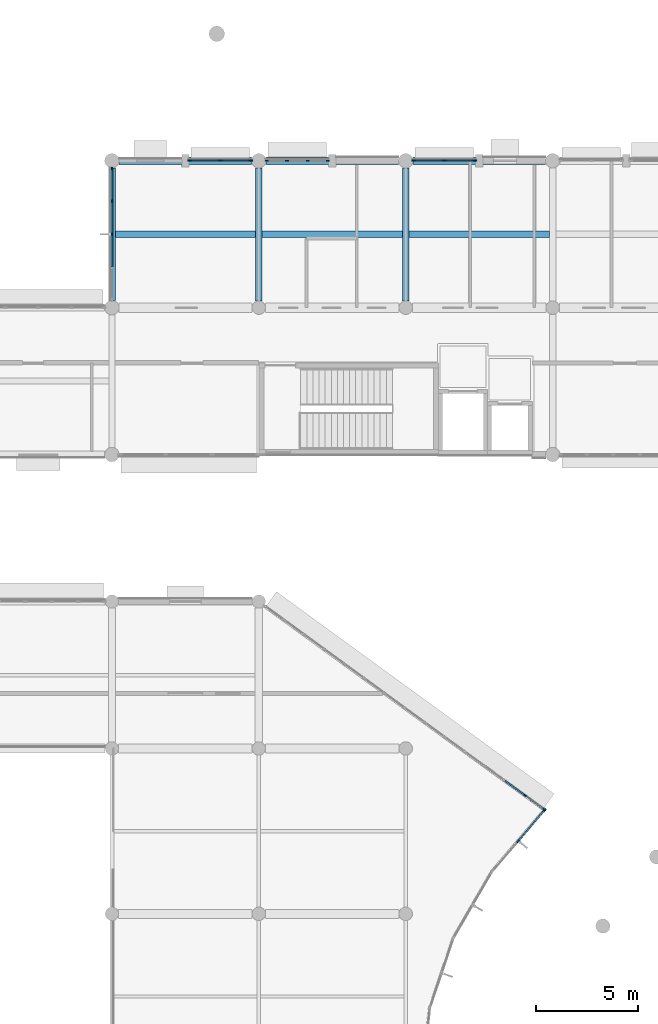
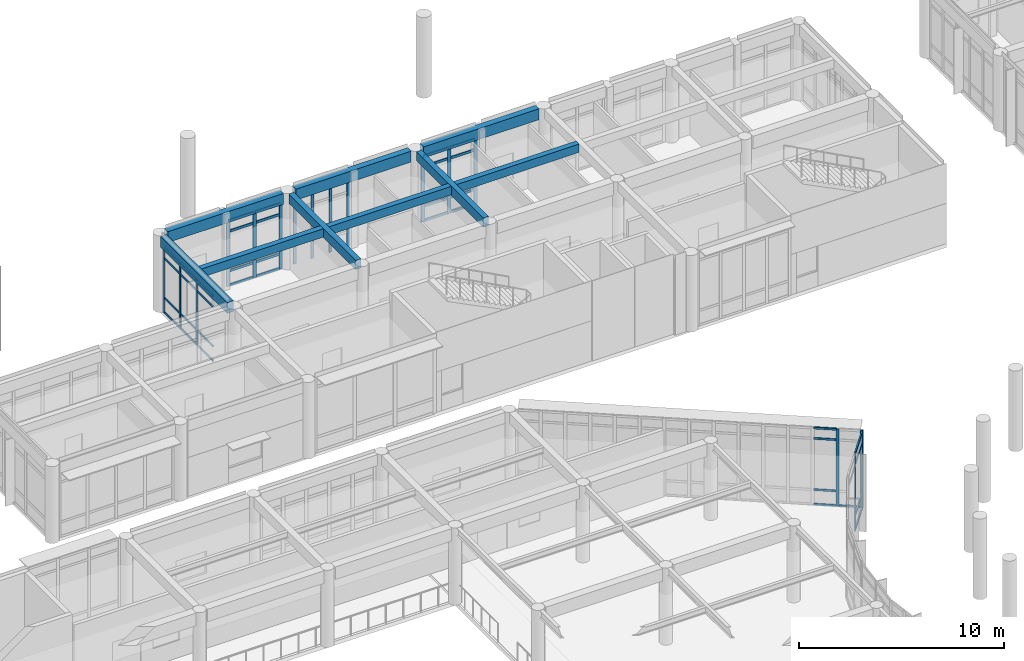
# One storey, part 22 of 92: 54 members, 9 beams, 6 elements without a shape of their own.
"""IFC4 building model written with IfcOpenShell, lengths in metres."""

import ifcopenshell
import ifcopenshell.guid

model = None  # the IFC model being written
_history = None  # IfcOwnerHistory: only IFC2X3 demands one
_inside = {}  # id of a spatial element -> (the spatial element, [elements in it])
_under = {}  # id of a project, library or spatial element -> (it, [spatial elements below it])
_declared = {}  # id of a project -> (the project, [libraries it declares])
_typed = {}  # id of a type object -> (the type object, [elements of that type])
_made_of = {}  # id of a material, layer set ... -> (it, [elements and type objects made of it])


def new_model(schema):
    """Start an empty IFC model of exactly this schema.

    Asked for "IFC4X3", IfcOpenShell would pick the latest addendum, in which some entities
    have other attributes; the version numbers below select the first issue.
    IFC2X3 requires an IfcOwnerHistory on every rooted entity: one is made here for all.
    """
    global model, _history
    if schema == "IFC4X3":
        model = ifcopenshell.file(schema_version=(4, 3, 0, 0))
    else:
        model = ifcopenshell.file(schema=schema)
    _inside.clear()
    _under.clear()
    _declared.clear()
    _typed.clear()
    _made_of.clear()
    _history = None
    if model.schema == "IFC2X3":
        org = make("IfcOrganization", Name="unknown")
        user = make(
            "IfcPersonAndOrganization",
            ThePerson=make("IfcPerson", FamilyName="unknown"),
            TheOrganization=org,
        )
        app = make(
            "IfcApplication",
            ApplicationDeveloper=org,
            Version="unknown",
            ApplicationFullName="unknown",
            ApplicationIdentifier="unknown",
        )
        _history = make(
            "IfcOwnerHistory",
            OwningUser=user,
            OwningApplication=app,
            ChangeAction="ADDED",
            CreationDate=0,
        )
    return model


def make(cls, **values):
    """One entity of the class cls with the attributes given. An attribute that is None is left unset."""
    return model.create_entity(
        cls, **{name: value for name, value in values.items() if value is not None}
    )


def rooted(cls, **values):
    """An entity with a GlobalId (a new one), such as an element, a storey or a relation."""
    return make(cls, GlobalId=ifcopenshell.guid.new(), OwnerHistory=_history, **values)


def si_unit(unit_type, name, prefix=None):
    """IfcSIUnit, for example si_unit("LENGTHUNIT", "METRE", prefix="MILLI")."""
    return make("IfcSIUnit", UnitType=unit_type, Prefix=prefix, Name=name)


def assignment(units):
    """IfcUnitAssignment: the units of a project."""
    return None if units is None else make("IfcUnitAssignment", Units=units)


def point(xyz):
    """IfcCartesianPoint."""
    return None if xyz is None else make("IfcCartesianPoint", Coordinates=xyz)


def direction(xyz):
    """IfcDirection."""
    return None if xyz is None else make("IfcDirection", DirectionRatios=xyz)


def frame(location, z_axis=None, x_axis=None):
    """IfcAxis2Placement3D, a coordinate frame: its origin and axes. An axis left out is left unset."""
    return make(
        "IfcAxis2Placement3D",
        Location=point(location),
        Axis=direction(z_axis),
        RefDirection=direction(x_axis),
    )


def frame_2d(location, x_axis=None):
    """IfcAxis2Placement2D, a coordinate frame in the plane: its origin and x axis."""
    return make(
        "IfcAxis2Placement2D", Location=point(location), RefDirection=direction(x_axis)
    )


def origin():
    """The frame at (0, 0, 0) with its axes left unset."""
    return frame((0.0, 0.0, 0.0))


def origin_2d():
    """The frame at (0, 0) in the plane with its x axis left unset."""
    return frame_2d((0.0, 0.0))


def place(relative_to, where):
    """IfcLocalPlacement: puts the frame where relative to a parent placement (None: the world)."""
    return make(
        "IfcLocalPlacement", PlacementRelTo=relative_to, RelativePlacement=where
    )


def context(
    kind, dimensions, precision=None, world=None, true_north=None, identifier=None
):
    """IfcGeometricRepresentationContext, for example the 3D "Model" context."""
    return make(
        "IfcGeometricRepresentationContext",
        ContextIdentifier=identifier,
        ContextType=kind,
        CoordinateSpaceDimension=dimensions,
        Precision=precision,
        WorldCoordinateSystem=world,
        TrueNorth=true_north,
    )


def subcontext(parent, identifier, kind, view, scale=None):
    """IfcGeometricRepresentationSubContext, for example "Body" below "Model"."""
    return make(
        "IfcGeometricRepresentationSubContext",
        ContextIdentifier=identifier,
        ContextType=kind,
        ParentContext=parent,
        TargetScale=scale,
        TargetView=view,
    )


def project(units=None, contexts=None):
    """IfcProject with its units and contexts."""
    return rooted(
        "IfcProject",
        Name="project",
        RepresentationContexts=contexts,
        UnitsInContext=assignment(units),
    )


def spatial(cls, under=None, at=None, **own):
    """A site, building, storey or space (cls), placed at a placement, below another one or the project."""
    s = rooted(cls, ObjectPlacement=at, **own)
    if under is not None:
        _under.setdefault(under.id(), (under, []))[1].append(s)
    return s


def profile(cls, at=None, kind="AREA", **sizes):
    """A parametric profile (cls). Its sizes go by their IFC names, for example OverallWidth=200.0."""
    return make(cls, ProfileType=kind, Position=at, **sizes)


def rectangle(**sizes):
    """IfcRectangleProfileDef."""
    return profile("IfcRectangleProfileDef", **sizes)


def extrude(swept, where, along, depth):
    """IfcExtrudedAreaSolid: the profile swept, set in the frame where, extruded along a direction by depth."""
    return make(
        "IfcExtrudedAreaSolid",
        SweptArea=swept,
        Position=where,
        ExtrudedDirection=direction(along),
        Depth=depth,
    )


def shape(context_of_items, identifier, shape_type, items):
    """IfcShapeRepresentation: the items that make up one representation, for example the "Body"."""
    return make(
        "IfcShapeRepresentation",
        ContextOfItems=context_of_items,
        RepresentationIdentifier=identifier,
        RepresentationType=shape_type,
        Items=items,
    )


def material(Name=None, Category=None):
    """IfcMaterial."""
    return make("IfcMaterial", Name=Name, Category=Category)


def layer(
    of_material, thickness, ventilated=None, Name=None, Category=None, Priority=None
):
    """IfcMaterialLayer: one layer of a wall or slab, of a material (None: an air gap)."""
    return make(
        "IfcMaterialLayer",
        Material=of_material,
        LayerThickness=thickness,
        IsVentilated=ventilated,
        Name=Name,
        Category=Category,
        Priority=Priority,
    )


def layer_set(layers, Name=None):
    """IfcMaterialLayerSet."""
    return make("IfcMaterialLayerSet", MaterialLayers=layers, LayerSetName=Name)


def material_profile(
    of_material, cross_section, Name=None, Category=None, Priority=None
):
    """IfcMaterialProfile: a cross section and its material."""
    return make(
        "IfcMaterialProfile",
        Name=Name,
        Material=of_material,
        Profile=cross_section,
        Priority=Priority,
        Category=Category,
    )


def profile_set(profiles, Name=None, composite=None):
    """IfcMaterialProfileSet."""
    return make(
        "IfcMaterialProfileSet",
        Name=Name,
        MaterialProfiles=profiles,
        CompositeProfile=composite,
    )


def made_of(thing, what):
    """Note that an element or type object is made of a material, layer set ...; save() writes the relation."""
    if what is not None:
        _made_of.setdefault(what.id(), (what, []))[1].append(thing)
    return thing


def type_object(cls, material=None, **own):
    """A type object (cls), such as IfcWallType, which elements share."""
    return made_of(rooted(cls, **own), material)


def element(
    cls,
    number,
    at=None,
    inside=None,
    cuts=None,
    type_object=None,
    material=None,
    context=None,
    identifier="Body",
    shape_type=None,
    held_by="IfcProductDefinitionShape",
    body=None,
    shapes=None,
    **own,
):
    """One element of the class cls, such as IfcWall. Its Tag is "e" and its number.

    at: its placement. inside: the storey or other place that contains it. cuts: it is an
    opening in that element (IfcRelVoidsElement). A single representation is given by context,
    identifier, shape_type and body (its items); several are given by shapes. held_by: the class
    of the entity that holds the representations. save() writes the other relations.
    """
    e = rooted(cls, Tag="e%d" % number, ObjectPlacement=at, **own)
    if body is not None:
        shapes = [shape(context, identifier, shape_type, body)]
    if shapes is not None:
        e.Representation = make(held_by, Representations=shapes)
    if inside is not None:
        _inside.setdefault(inside.id(), (inside, []))[1].append(e)
    if cuts is not None:
        rooted(
            "IfcRelVoidsElement", RelatingBuildingElement=cuts, RelatedOpeningElement=e
        )
    if type_object is not None:
        _typed.setdefault(type_object.id(), (type_object, []))[1].append(e)
    return made_of(e, material)


def aggregate(whole, parts):
    """IfcRelAggregates: a whole, such as a stair, and the parts it consists of."""
    return rooted("IfcRelAggregates", RelatingObject=whole, RelatedObjects=parts)


def save(model, path):
    """Write the relations noted so far, then the file.

    IfcRelAggregates (storeys below a building ...), IfcRelContainedInSpatialStructure (elements
    in a storey), IfcRelDefinesByType, IfcRelAssociatesMaterial and IfcRelDeclares: one each for
    every whole, place, type object, material and project.
    """
    for whole, parts in _under.values():
        aggregate(whole, parts)
    for where, things in _inside.values():
        rooted(
            "IfcRelContainedInSpatialStructure",
            RelatedElements=things,
            RelatingStructure=where,
        )
    for kind, things in _typed.values():
        rooted("IfcRelDefinesByType", RelatedObjects=things, RelatingType=kind)
    for what, things in _made_of.values():
        rooted("IfcRelAssociatesMaterial", RelatedObjects=things, RelatingMaterial=what)
    for by, libraries in _declared.values():
        rooted("IfcRelDeclares", RelatingContext=by, RelatedDefinitions=libraries)
    model.write(path)


model = new_model("IFC4")

# Units and contexts
model_context = context("Model", 3, precision=1e-05, world=origin(), true_north=direction((0.0, 1.0)))
body_context = subcontext(model_context, "Body", "Model", "MODEL_VIEW")
ifc_project = project(units=[si_unit("LENGTHUNIT", "METRE"), si_unit("AREAUNIT", "SQUARE_METRE"), si_unit("VOLUMEUNIT", "CUBIC_METRE"), si_unit("PLANEANGLEUNIT", "RADIAN"), si_unit("MASSUNIT", "GRAM", prefix="KILO")], contexts=[model_context])

# Site, building, storey
site_placement = place(None, origin())
site = spatial("IfcSite", under=ifc_project, at=site_placement, CompositionType="ELEMENT")
building_placement = place(site_placement, origin())
building = spatial("IfcBuilding", under=site, at=building_placement, Name="Namkhue Oval Health Centre", CompositionType="ELEMENT")
storey_placement = place(building_placement, frame((0.0, 0.0, 4.800048828125)))
storey = spatial("IfcBuildingStorey", under=building, at=storey_placement, Name="L01", CompositionType="ELEMENT", Elevation=4.800048828125)

# Curtain wall, members
ifc_material_1 = material(Name="Anodised aluminium EN AW-6063 T6", Category="aluminium")
ifc_layer_1 = layer(ifc_material_1, 0.159912109375)
ifc_layer_set_1 = layer_set([ifc_layer_1], Name="Anodised aluminium EN AW-6063 T6")
curtain_wall_type_1 = type_object("IfcCurtainWallType", Name="UNITISED CURTAIN WALL M1200", PredefinedType="NOTDEFINED", material=ifc_layer_set_1)
curtain_wall_1_placement = place(storey_placement, origin())
curtain_wall_1 = element("IfcCurtainWall", 1, at=curtain_wall_1_placement, inside=storey, type_object=curtain_wall_type_1, Name="Volume V1 L01 Unitised Curtain Wall 31", PredefinedType="NOTDEFINED")
ifc_material_profile_1 = material_profile(ifc_material_1, rectangle(XDim=0.06494140625, YDim=0.159912109375, at=origin_2d()), Name="ALU 65x160")
ifc_profile_set_1 = profile_set([ifc_material_profile_1], Name="Anodised aluminium EN AW-6063 T6")
member_type_1 = type_object("IfcMemberType", Name="CURTAIN WALL MULLION 65X160", PredefinedType="MULLION", material=ifc_profile_set_1)
member_1_placement = place(storey_placement, frame((71.591796875, 72.6162109375, 0.0), z_axis=(0.0, 0.0, 1.0), x_axis=(-0.588476942894, -0.808513999682, 0.0)))
member_1 = element("IfcMember", 2, at=member_1_placement, type_object=member_type_1, Name="CW-01 mullion 1", PredefinedType="MULLION", context=body_context, shape_type="SweptSolid", body=[
    extrude(rectangle(XDim=0.06494140625, YDim=0.159912109375, at=origin_2d()), origin(), (0.0, 0.0, 1.0), 4.599853515625),
])
member_2_placement = place(storey_placement, frame((70.635986328125, 73.311767578125, 0.0), z_axis=(0.0, 0.0, 1.0), x_axis=(-0.588476942894, -0.808513999682, 0.0)))
member_2 = element("IfcMember", 3, at=member_2_placement, type_object=member_type_1, Name="CW-01 mullion 2", PredefinedType="MULLION", context=body_context, shape_type="SweptSolid", body=[
    extrude(rectangle(XDim=0.06494140625, YDim=0.159912109375, at=origin_2d()), origin(), (0.0, 0.0, 1.0), 4.599853515625),
])

curtain_wall_2_placement = place(storey_placement, origin())
curtain_wall_2 = element("IfcCurtainWall", 4, at=curtain_wall_2_placement, inside=storey, type_object=curtain_wall_type_1, Name="Volume V2 L01 Unitised Curtain Wall 55", PredefinedType="NOTDEFINED")
member_3_placement = place(storey_placement, frame((60.9814453125, 104.39990234375, 0.0), z_axis=(0.0, 0.0, 1.0), x_axis=(0.0, -1.0, 0.0)))
member_3 = element("IfcMember", 5, at=member_3_placement, type_object=member_type_1, Name="CW-01 mullion 1", PredefinedType="MULLION", context=body_context, shape_type="SweptSolid", body=[
    extrude(rectangle(XDim=0.06494140625, YDim=0.159912109375, at=origin_2d()), origin(), (0.0, 0.0, 1.0), 3.905029296875),
])
member_4_placement = place(storey_placement, frame((59.99609375, 104.39990234375, 0.0), z_axis=(0.0, 0.0, 1.0), x_axis=(0.0, -1.0, 0.0)))
member_4 = element("IfcMember", 6, at=member_4_placement, type_object=member_type_1, Name="CW-01 mullion 2", PredefinedType="MULLION", context=body_context, shape_type="SweptSolid", body=[
    extrude(rectangle(XDim=0.06494140625, YDim=0.159912109375, at=origin_2d()), origin(), (0.0, 0.0, 1.0), 3.905029296875),
])
member_5_placement = place(storey_placement, frame((58.97802734375, 104.39990234375, 0.0), z_axis=(0.0, 0.0, 1.0), x_axis=(0.0, -1.0, 0.0)))
member_5 = element("IfcMember", 7, at=member_5_placement, type_object=member_type_1, Name="CW-01 mullion 3", PredefinedType="MULLION", context=body_context, shape_type="SweptSolid", body=[
    extrude(rectangle(XDim=0.06494140625, YDim=0.159912109375, at=origin_2d()), origin(), (0.0, 0.0, 1.0), 3.905029296875),
])
member_6_placement = place(storey_placement, frame((57.992431640625, 104.39990234375, 0.0), z_axis=(0.0, 0.0, 1.0), x_axis=(0.0, -1.0, 0.0)))
member_6 = element("IfcMember", 8, at=member_6_placement, type_object=member_type_1, Name="CW-01 mullion 4", PredefinedType="MULLION", context=body_context, shape_type="SweptSolid", body=[
    extrude(rectangle(XDim=0.06494140625, YDim=0.159912109375, at=origin_2d()), origin(), (0.0, 0.0, 1.0), 3.905029296875),
])
aggregate(curtain_wall_2, [member_3, member_4, member_5, member_6])

ifc_layer_2 = layer(ifc_material_1, 0.159912109375)
ifc_layer_set_2 = layer_set([ifc_layer_2], Name="Anodised aluminium EN AW-6063 T6")
curtain_wall_type_2 = type_object("IfcCurtainWallType", Name="UNITISED CURTAIN WALL M1500", PredefinedType="NOTDEFINED", material=ifc_layer_set_2)
curtain_wall_3_placement = place(storey_placement, origin())
curtain_wall_3 = element("IfcCurtainWall", 9, at=curtain_wall_3_placement, inside=storey, type_object=curtain_wall_type_2, Name="Volume V2 L01 Unitised Curtain Wall 57", PredefinedType="NOTDEFINED")
member_7_placement = place(storey_placement, frame((50.39990234375, 104.007568359375, 0.0), z_axis=(0.0, 0.0, 1.0), x_axis=(1.0, 0.0, 0.0)))
member_7 = element("IfcMember", 10, at=member_7_placement, type_object=member_type_1, Name="CW-03 mullion 1", PredefinedType="MULLION", context=body_context, shape_type="SweptSolid", body=[
    extrude(rectangle(XDim=0.06494140625, YDim=0.159912109375, at=origin_2d()), origin(), (0.0, 0.0, 1.0), 3.905029296875),
])
member_8_placement = place(storey_placement, frame((50.39990234375, 102.419921875, 0.0), z_axis=(0.0, 0.0, 1.0), x_axis=(1.0, 0.0, 0.0)))
member_8 = element("IfcMember", 11, at=member_8_placement, type_object=member_type_1, Name="CW-03 mullion 2", PredefinedType="MULLION", context=body_context, shape_type="SweptSolid", body=[
    extrude(rectangle(XDim=0.06494140625, YDim=0.159912109375, at=origin_2d()), origin(), (0.0, 0.0, 1.0), 3.905029296875),
])
member_9_placement = place(storey_placement, frame((50.39990234375, 100.800048828125, 0.0), z_axis=(0.0, 0.0, 1.0), x_axis=(1.0, 0.0, 0.0)))
member_9 = element("IfcMember", 12, at=member_9_placement, type_object=member_type_1, Name="CW-03 mullion 3", PredefinedType="MULLION", context=body_context, shape_type="SweptSolid", body=[
    extrude(rectangle(XDim=0.06494140625, YDim=0.159912109375, at=origin_2d()), origin(), (0.0, 0.0, 1.0), 3.905029296875),
])

ifc_layer_3 = layer(ifc_material_1, 0.159912109375)
ifc_layer_set_3 = layer_set([ifc_layer_3], Name="Anodised aluminium EN AW-6063 T6")
curtain_wall_type_3 = type_object("IfcCurtainWallType", Name="UNITISED CURTAIN WALL M2000", PredefinedType="NOTDEFINED", material=ifc_layer_set_3)
curtain_wall_4_placement = place(storey_placement, origin())
curtain_wall_4 = element("IfcCurtainWall", 13, at=curtain_wall_4_placement, inside=storey, type_object=curtain_wall_type_3, Name="Volume V1 L01 Unitised Curtain Wall 30", PredefinedType="NOTDEFINED")
ifc_material_profile_2 = material_profile(ifc_material_1, rectangle(XDim=0.074951171875, YDim=0.199951171875, at=origin_2d()), Name="ALU 75x200")
ifc_profile_set_2 = profile_set([ifc_material_profile_2], Name="Anodised aluminium EN AW-6063 T6")
member_type_2 = type_object("IfcMemberType", Name="CURTAIN WALL MULLION 75X200", PredefinedType="MULLION", material=ifc_profile_set_2)
member_10_placement = place(storey_placement, frame((70.323486328125, 71.07861328125, 0.0), z_axis=(0.0, 0.0, 1.0), x_axis=(-0.761004950887, 0.648746071067, 0.0)))
member_10 = element("IfcMember", 14, at=member_10_placement, type_object=member_type_2, Name="CW-06 mullion 2", PredefinedType="MULLION", context=body_context, shape_type="SweptSolid", body=[
    extrude(rectangle(XDim=0.074951171875, YDim=0.199951171875, at=origin_2d()), origin(), (0.0, 0.0, 1.0), 4.599853515625),
])
member_11_placement = place(storey_placement, frame((71.59375, 72.568359375, 0.0), z_axis=(0.0, 0.0, 1.0), x_axis=(-0.761004950887, 0.648746071067, 0.0)))
member_11 = element("IfcMember", 15, at=member_11_placement, type_object=member_type_2, Name="CW-06 mullion 3", PredefinedType="MULLION", context=body_context, shape_type="SweptSolid", body=[
    extrude(rectangle(XDim=0.074951171875, YDim=0.199951171875, at=origin_2d()), origin(), (0.0, 0.0, 1.0), 4.599853515625),
])

curtain_wall_5_placement = place(storey_placement, origin())
curtain_wall_5 = element("IfcCurtainWall", 16, at=curtain_wall_5_placement, inside=storey, type_object=curtain_wall_type_3, Name="Volume V2 L01 Unitised Curtain Wall 54", PredefinedType="NOTDEFINED")
member_12_placement = place(storey_placement, frame((68.176513671875, 104.39990234375, 0.0), z_axis=(0.0, 0.0, 1.0), x_axis=(0.0, -1.0, 0.0)))
member_12 = element("IfcMember", 17, at=member_12_placement, type_object=member_type_2, Name="CW-06 mullion 1", PredefinedType="MULLION", context=body_context, shape_type="SweptSolid", body=[
    extrude(rectangle(XDim=0.074951171875, YDim=0.199951171875, at=origin_2d()), origin(), (0.0, 0.0, 1.0), 3.905029296875),
])
member_13_placement = place(storey_placement, frame((66.68701171875, 104.39990234375, 0.0), z_axis=(0.0, 0.0, 1.0), x_axis=(0.0, -1.0, 0.0)))
member_13 = element("IfcMember", 18, at=member_13_placement, type_object=member_type_2, Name="CW-06 mullion 2", PredefinedType="MULLION", context=body_context, shape_type="SweptSolid", body=[
    extrude(rectangle(XDim=0.074951171875, YDim=0.199951171875, at=origin_2d()), origin(), (0.0, 0.0, 1.0), 3.905029296875),
])
member_14_placement = place(storey_placement, frame((65.197509765625, 104.39990234375, 0.0), z_axis=(0.0, 0.0, 1.0), x_axis=(0.0, -1.0, 0.0)))
member_14 = element("IfcMember", 19, at=member_14_placement, type_object=member_type_2, Name="CW-06 mullion 3", PredefinedType="MULLION", context=body_context, shape_type="SweptSolid", body=[
    extrude(rectangle(XDim=0.074951171875, YDim=0.199951171875, at=origin_2d()), origin(), (0.0, 0.0, 1.0), 3.905029296875),
])

ifc_layer_4 = layer(ifc_material_1, 0.159912109375)
ifc_layer_set_4 = layer_set([ifc_layer_4], Name="Anodised aluminium EN AW-6063 T6")
curtain_wall_type_4 = type_object("IfcCurtainWallType", Name="UNITISED CURTAIN WALL M1350", PredefinedType="NOTDEFINED", material=ifc_layer_set_4)
curtain_wall_6_placement = place(storey_placement, origin())
curtain_wall_6 = element("IfcCurtainWall", 20, at=curtain_wall_6_placement, inside=storey, type_object=curtain_wall_type_4, Name="Volume V2 L01 Unitised Curtain Wall 56", PredefinedType="NOTDEFINED")
member_15_placement = place(storey_placement, frame((57.202392578125, 104.39990234375, 0.0), z_axis=(0.0, 0.0, 1.0), x_axis=(0.0, -1.0, 0.0)))
member_15 = element("IfcMember", 21, at=member_15_placement, type_object=member_type_2, Name="CW-02 mullion 1", PredefinedType="MULLION", context=body_context, shape_type="SweptSolid", body=[
    extrude(rectangle(XDim=0.074951171875, YDim=0.199951171875, at=origin_2d()), origin(), (0.0, 0.0, 1.0), 3.905029296875),
])
member_16_placement = place(storey_placement, frame((55.712890625, 104.39990234375, 0.0), z_axis=(0.0, 0.0, 1.0), x_axis=(0.0, -1.0, 0.0)))
member_16 = element("IfcMember", 22, at=member_16_placement, type_object=member_type_2, Name="CW-02 mullion 2", PredefinedType="MULLION", context=body_context, shape_type="SweptSolid", body=[
    extrude(rectangle(XDim=0.074951171875, YDim=0.199951171875, at=origin_2d()), origin(), (0.0, 0.0, 1.0), 3.905029296875),
])
member_17_placement = place(storey_placement, frame((54.223388671875, 104.39990234375, 0.0), z_axis=(0.0, 0.0, 1.0), x_axis=(0.0, -1.0, 0.0)))
member_17 = element("IfcMember", 23, at=member_17_placement, type_object=member_type_2, Name="CW-02 mullion 3", PredefinedType="MULLION", context=body_context, shape_type="SweptSolid", body=[
    extrude(rectangle(XDim=0.074951171875, YDim=0.199951171875, at=origin_2d()), origin(), (0.0, 0.0, 1.0), 3.905029296875),
])

# Member
ifc_material_profile_3 = material_profile(ifc_material_1, rectangle(XDim=0.06494140625, YDim=0.1201171875, at=origin_2d()), Name="ALU 65x120")
ifc_profile_set_3 = profile_set([ifc_material_profile_3], Name="Anodised aluminium EN AW-6063 T6")
member_type_3 = type_object("IfcMemberType", Name="CURTAIN WALL TRANSOM 65X120", PredefinedType="USERDEFINED", material=ifc_profile_set_3)
member_18_placement = place(storey_placement, frame((71.5654296875, 72.63525390625, 0.032470703125), z_axis=(-0.80854699579, 0.58843160656, 0.0), x_axis=(-0.58843160656, -0.80854699579, 0.0)))
member_18 = element("IfcMember", 24, at=member_18_placement, type_object=member_type_3, Name="CW-01 transom 1.1", ObjectType="TRANSOM", PredefinedType="USERDEFINED", context=body_context, shape_type="SweptSolid", body=[
    extrude(rectangle(XDim=0.06494140625, YDim=0.1201171875, at=origin_2d()), origin(), (0.0, 0.0, 1.0), 1.116943359375),
])

member_19_placement = place(storey_placement, frame((70.60986328125, 73.330810546875, 0.032470703125), z_axis=(-0.808506429569, 0.588487343403, 0.0), x_axis=(-0.588487343403, -0.808506429569, 0.0)))
member_19 = element("IfcMember", 25, at=member_19_placement, type_object=member_type_3, Name="CW-01 transom 2.1", ObjectType="TRANSOM", PredefinedType="USERDEFINED", context=body_context, shape_type="SweptSolid", body=[
    extrude(rectangle(XDim=0.06494140625, YDim=0.1201171875, at=origin_2d()), origin(), (0.0, 0.0, 1.0), 1.149658203125),
])

member_20_placement = place(storey_placement, frame((70.60986328125, 73.330810546875, 0.89990234375), z_axis=(-0.808506429569, 0.588487343403, 0.0), x_axis=(-0.588487343403, -0.808506429569, 0.0)))
member_20 = element("IfcMember", 26, at=member_20_placement, type_object=member_type_3, Name="CW-01 transom 2.2", ObjectType="TRANSOM", PredefinedType="USERDEFINED", context=body_context, shape_type="SweptSolid", body=[
    extrude(rectangle(XDim=0.06494140625, YDim=0.1201171875, at=origin_2d()), origin(), (0.0, 0.0, 1.0), 1.149658203125),
])

member_21_placement = place(storey_placement, frame((70.60986328125, 73.330810546875, 3.949951171875), z_axis=(-0.808506429569, 0.588487343403, 0.0), x_axis=(-0.588487343403, -0.808506429569, 0.0)))
member_21 = element("IfcMember", 27, at=member_21_placement, type_object=member_type_3, Name="CW-01 transom 2.3", ObjectType="TRANSOM", PredefinedType="USERDEFINED", context=body_context, shape_type="SweptSolid", body=[
    extrude(rectangle(XDim=0.06494140625, YDim=0.1201171875, at=origin_2d()), origin(), (0.0, 0.0, 1.0), 1.149658203125),
])

member_22_placement = place(storey_placement, frame((70.60986328125, 73.330810546875, 4.5673828125), z_axis=(-0.808506429569, 0.588487343403, 0.0), x_axis=(-0.588487343403, -0.808506429569, 0.0)))
member_22 = element("IfcMember", 28, at=member_22_placement, type_object=member_type_3, Name="CW-01 transom 2.4", ObjectType="TRANSOM", PredefinedType="USERDEFINED", context=body_context, shape_type="SweptSolid", body=[
    extrude(rectangle(XDim=0.06494140625, YDim=0.1201171875, at=origin_2d()), origin(), (0.0, 0.0, 1.0), 1.149658203125),
])

aggregate(curtain_wall_1, [member_1, member_2, member_18, member_19, member_20, member_21, member_22])

member_23_placement = place(storey_placement, frame((50.39990234375, 103.97509765625, 0.032470703125), z_axis=(0.0, -1.0, 0.0), x_axis=(1.0, 0.0, 0.0)))
member_23 = element("IfcMember", 29, at=member_23_placement, type_object=member_type_3, Name="CW-03 transom 1.1", ObjectType="TRANSOM", PredefinedType="USERDEFINED", context=body_context, shape_type="SweptSolid", body=[
    extrude(rectangle(XDim=0.06494140625, YDim=0.1201171875, at=origin_2d()), origin(), (0.0, 0.0, 1.0), 1.522705078125),
])

member_24_placement = place(storey_placement, frame((50.39990234375, 103.97509765625, 0.89990234375), z_axis=(0.0, -1.0, 0.0), x_axis=(1.0, 0.0, 0.0)))
member_24 = element("IfcMember", 30, at=member_24_placement, type_object=member_type_3, Name="CW-03 transom 1.2", ObjectType="TRANSOM", PredefinedType="USERDEFINED", context=body_context, shape_type="SweptSolid", body=[
    extrude(rectangle(XDim=0.06494140625, YDim=0.1201171875, at=origin_2d()), origin(), (0.0, 0.0, 1.0), 1.522705078125),
])

member_25_placement = place(storey_placement, frame((50.39990234375, 103.97509765625, 3.2548828125), z_axis=(0.0, -1.0, 0.0), x_axis=(1.0, 0.0, 0.0)))
member_25 = element("IfcMember", 31, at=member_25_placement, type_object=member_type_3, Name="CW-03 transom 1.3", ObjectType="TRANSOM", PredefinedType="USERDEFINED", context=body_context, shape_type="SweptSolid", body=[
    extrude(rectangle(XDim=0.06494140625, YDim=0.1201171875, at=origin_2d()), origin(), (0.0, 0.0, 1.0), 1.522705078125),
])

member_26_placement = place(storey_placement, frame((50.39990234375, 103.97509765625, 3.87255859375), z_axis=(0.0, -1.0, 0.0), x_axis=(1.0, 0.0, 0.0)))
member_26 = element("IfcMember", 32, at=member_26_placement, type_object=member_type_3, Name="CW-03 transom 1.4", ObjectType="TRANSOM", PredefinedType="USERDEFINED", context=body_context, shape_type="SweptSolid", body=[
    extrude(rectangle(XDim=0.06494140625, YDim=0.1201171875, at=origin_2d()), origin(), (0.0, 0.0, 1.0), 1.522705078125),
])

member_27_placement = place(storey_placement, frame((50.39990234375, 102.387451171875, 0.032470703125), z_axis=(0.0, -1.0, 0.0), x_axis=(1.0, 0.0, 0.0)))
member_27 = element("IfcMember", 33, at=member_27_placement, type_object=member_type_3, Name="CW-03 transom 2.1", ObjectType="TRANSOM", PredefinedType="USERDEFINED", context=body_context, shape_type="SweptSolid", body=[
    extrude(rectangle(XDim=0.06494140625, YDim=0.1201171875, at=origin_2d()), origin(), (0.0, 0.0, 1.0), 1.554931640625),
])

member_28_placement = place(storey_placement, frame((50.39990234375, 102.387451171875, 0.89990234375), z_axis=(0.0, -1.0, 0.0), x_axis=(1.0, 0.0, 0.0)))
member_28 = element("IfcMember", 34, at=member_28_placement, type_object=member_type_3, Name="CW-03 transom 2.2", ObjectType="TRANSOM", PredefinedType="USERDEFINED", context=body_context, shape_type="SweptSolid", body=[
    extrude(rectangle(XDim=0.06494140625, YDim=0.1201171875, at=origin_2d()), origin(), (0.0, 0.0, 1.0), 1.554931640625),
])

member_29_placement = place(storey_placement, frame((50.39990234375, 102.387451171875, 3.2548828125), z_axis=(0.0, -1.0, 0.0), x_axis=(1.0, 0.0, 0.0)))
member_29 = element("IfcMember", 35, at=member_29_placement, type_object=member_type_3, Name="CW-03 transom 2.3", ObjectType="TRANSOM", PredefinedType="USERDEFINED", context=body_context, shape_type="SweptSolid", body=[
    extrude(rectangle(XDim=0.06494140625, YDim=0.1201171875, at=origin_2d()), origin(), (0.0, 0.0, 1.0), 1.554931640625),
])

member_30_placement = place(storey_placement, frame((50.39990234375, 102.387451171875, 3.87255859375), z_axis=(0.0, -1.0, 0.0), x_axis=(1.0, 0.0, 0.0)))
member_30 = element("IfcMember", 36, at=member_30_placement, type_object=member_type_3, Name="CW-03 transom 2.4", ObjectType="TRANSOM", PredefinedType="USERDEFINED", context=body_context, shape_type="SweptSolid", body=[
    extrude(rectangle(XDim=0.06494140625, YDim=0.1201171875, at=origin_2d()), origin(), (0.0, 0.0, 1.0), 1.554931640625),
])

member_31_placement = place(storey_placement, frame((50.39990234375, 100.767578125, 0.032470703125), z_axis=(0.0, -1.0, 0.0), x_axis=(1.0, 0.0, 0.0)))
member_31 = element("IfcMember", 37, at=member_31_placement, type_object=member_type_3, Name="CW-03 transom 3.1", ObjectType="TRANSOM", PredefinedType="USERDEFINED", context=body_context, shape_type="SweptSolid", body=[
    extrude(rectangle(XDim=0.06494140625, YDim=0.1201171875, at=origin_2d()), origin(), (0.0, 0.0, 1.0), 1.55517578125),
])

member_32_placement = place(storey_placement, frame((50.39990234375, 100.767578125, 0.89990234375), z_axis=(0.0, -1.0, 0.0), x_axis=(1.0, 0.0, 0.0)))
member_32 = element("IfcMember", 38, at=member_32_placement, type_object=member_type_3, Name="CW-03 transom 3.2", ObjectType="TRANSOM", PredefinedType="USERDEFINED", context=body_context, shape_type="SweptSolid", body=[
    extrude(rectangle(XDim=0.06494140625, YDim=0.1201171875, at=origin_2d()), origin(), (0.0, 0.0, 1.0), 1.55517578125),
])

member_33_placement = place(storey_placement, frame((50.39990234375, 100.767578125, 3.2548828125), z_axis=(0.0, -1.0, 0.0), x_axis=(1.0, 0.0, 0.0)))
member_33 = element("IfcMember", 39, at=member_33_placement, type_object=member_type_3, Name="CW-03 transom 3.3", ObjectType="TRANSOM", PredefinedType="USERDEFINED", context=body_context, shape_type="SweptSolid", body=[
    extrude(rectangle(XDim=0.06494140625, YDim=0.1201171875, at=origin_2d()), origin(), (0.0, 0.0, 1.0), 1.55517578125),
])

member_34_placement = place(storey_placement, frame((50.39990234375, 100.767578125, 3.87255859375), z_axis=(0.0, -1.0, 0.0), x_axis=(1.0, 0.0, 0.0)))
member_34 = element("IfcMember", 40, at=member_34_placement, type_object=member_type_3, Name="CW-03 transom 3.4", ObjectType="TRANSOM", PredefinedType="USERDEFINED", context=body_context, shape_type="SweptSolid", body=[
    extrude(rectangle(XDim=0.06494140625, YDim=0.1201171875, at=origin_2d()), origin(), (0.0, 0.0, 1.0), 1.55517578125),
])

aggregate(curtain_wall_3, [member_7, member_8, member_9, member_23, member_24, member_25, member_26, member_27, member_28, member_29, member_30, member_31, member_32, member_33, member_34])

ifc_material_profile_4 = material_profile(ifc_material_1, rectangle(XDim=0.074951171875, YDim=0.14990234375, at=origin_2d()), Name="ALU 75x150")
ifc_profile_set_4 = profile_set([ifc_material_profile_4], Name="Anodised aluminium EN AW-6063 T6")
member_type_4 = type_object("IfcMemberType", Name="CURTAIN WALL TRANSOM 75X150", PredefinedType="USERDEFINED", material=ifc_profile_set_4)
member_35_placement = place(storey_placement, frame((70.347900390625, 71.10693359375, 0.037353515625), z_axis=(0.648664008204, 0.761074900691, 0.0), x_axis=(-0.761074900691, 0.648664008204, 0.0)))
member_35 = element("IfcMember", 41, at=member_35_placement, type_object=member_type_4, Name="CW-06 transom 2.1", ObjectType="TRANSOM", PredefinedType="USERDEFINED", context=body_context, shape_type="SweptSolid", body=[
    extrude(rectangle(XDim=0.074951171875, YDim=0.14990234375, at=origin_2d()), origin(), (0.0, 0.0, 1.0), 1.883056640625),
])

member_36_placement = place(storey_placement, frame((70.347900390625, 71.10693359375, 0.89990234375), z_axis=(0.648664008204, 0.761074900691, 0.0), x_axis=(-0.761074900691, 0.648664008204, 0.0)))
member_36 = element("IfcMember", 42, at=member_36_placement, type_object=member_type_4, Name="CW-06 transom 2.2", ObjectType="TRANSOM", PredefinedType="USERDEFINED", context=body_context, shape_type="SweptSolid", body=[
    extrude(rectangle(XDim=0.074951171875, YDim=0.14990234375, at=origin_2d()), origin(), (0.0, 0.0, 1.0), 1.883056640625),
])

member_37_placement = place(storey_placement, frame((70.347900390625, 71.10693359375, 3.949951171875), z_axis=(0.648664008204, 0.761074900691, 0.0), x_axis=(-0.761074900691, 0.648664008204, 0.0)))
member_37 = element("IfcMember", 43, at=member_37_placement, type_object=member_type_4, Name="CW-06 transom 2.3", ObjectType="TRANSOM", PredefinedType="USERDEFINED", context=body_context, shape_type="SweptSolid", body=[
    extrude(rectangle(XDim=0.074951171875, YDim=0.14990234375, at=origin_2d()), origin(), (0.0, 0.0, 1.0), 1.883056640625),
])

member_38_placement = place(storey_placement, frame((70.347900390625, 71.10693359375, 4.5625), z_axis=(0.648664008204, 0.761074900691, 0.0), x_axis=(-0.761074900691, 0.648664008204, 0.0)))
member_38 = element("IfcMember", 44, at=member_38_placement, type_object=member_type_4, Name="CW-06 transom 2.4", ObjectType="TRANSOM", PredefinedType="USERDEFINED", context=body_context, shape_type="SweptSolid", body=[
    extrude(rectangle(XDim=0.074951171875, YDim=0.14990234375, at=origin_2d()), origin(), (0.0, 0.0, 1.0), 1.883056640625),
])

aggregate(curtain_wall_4, [member_10, member_11, member_35, member_36, member_37, member_38])

member_39_placement = place(storey_placement, frame((68.138916015625, 104.39990234375, 0.037353515625), z_axis=(-1.0, 0.0, 0.0), x_axis=(0.0, -1.0, 0.0)))
member_39 = element("IfcMember", 45, at=member_39_placement, type_object=member_type_4, Name="CW-06 transom 1.1", ObjectType="TRANSOM", PredefinedType="USERDEFINED", context=body_context, shape_type="SweptSolid", body=[
    extrude(rectangle(XDim=0.074951171875, YDim=0.14990234375, at=origin_2d()), origin(), (0.0, 0.0, 1.0), 1.414306640625),
])

member_40_placement = place(storey_placement, frame((68.138916015625, 104.39990234375, 0.89990234375), z_axis=(-1.0, 0.0, 0.0), x_axis=(0.0, -1.0, 0.0)))
member_40 = element("IfcMember", 46, at=member_40_placement, type_object=member_type_4, Name="CW-06 transom 1.2", ObjectType="TRANSOM", PredefinedType="USERDEFINED", context=body_context, shape_type="SweptSolid", body=[
    extrude(rectangle(XDim=0.074951171875, YDim=0.14990234375, at=origin_2d()), origin(), (0.0, 0.0, 1.0), 1.414306640625),
])

member_41_placement = place(storey_placement, frame((68.138916015625, 104.39990234375, 3.2548828125), z_axis=(-1.0, 0.0, 0.0), x_axis=(0.0, -1.0, 0.0)))
member_41 = element("IfcMember", 47, at=member_41_placement, type_object=member_type_4, Name="CW-06 transom 1.3", ObjectType="TRANSOM", PredefinedType="USERDEFINED", context=body_context, shape_type="SweptSolid", body=[
    extrude(rectangle(XDim=0.074951171875, YDim=0.14990234375, at=origin_2d()), origin(), (0.0, 0.0, 1.0), 1.414306640625),
])

member_42_placement = place(storey_placement, frame((68.138916015625, 104.39990234375, 3.867431640625), z_axis=(-1.0, 0.0, 0.0), x_axis=(0.0, -1.0, 0.0)))
member_42 = element("IfcMember", 48, at=member_42_placement, type_object=member_type_4, Name="CW-06 transom 1.4", ObjectType="TRANSOM", PredefinedType="USERDEFINED", context=body_context, shape_type="SweptSolid", body=[
    extrude(rectangle(XDim=0.074951171875, YDim=0.14990234375, at=origin_2d()), origin(), (0.0, 0.0, 1.0), 1.414306640625),
])

member_43_placement = place(storey_placement, frame((66.6494140625, 104.39990234375, 0.037353515625), z_axis=(-1.0, 0.0, 0.0), x_axis=(0.0, -1.0, 0.0)))
member_43 = element("IfcMember", 49, at=member_43_placement, type_object=member_type_4, Name="CW-06 transom 2.1", ObjectType="TRANSOM", PredefinedType="USERDEFINED", context=body_context, shape_type="SweptSolid", body=[
    extrude(rectangle(XDim=0.074951171875, YDim=0.14990234375, at=origin_2d()), origin(), (0.0, 0.0, 1.0), 1.414306640625),
])

member_44_placement = place(storey_placement, frame((66.6494140625, 104.39990234375, 0.89990234375), z_axis=(-1.0, 0.0, 0.0), x_axis=(0.0, -1.0, 0.0)))
member_44 = element("IfcMember", 50, at=member_44_placement, type_object=member_type_4, Name="CW-06 transom 2.2", ObjectType="TRANSOM", PredefinedType="USERDEFINED", context=body_context, shape_type="SweptSolid", body=[
    extrude(rectangle(XDim=0.074951171875, YDim=0.14990234375, at=origin_2d()), origin(), (0.0, 0.0, 1.0), 1.414306640625),
])

member_45_placement = place(storey_placement, frame((66.6494140625, 104.39990234375, 3.2548828125), z_axis=(-1.0, 0.0, 0.0), x_axis=(0.0, -1.0, 0.0)))
member_45 = element("IfcMember", 51, at=member_45_placement, type_object=member_type_4, Name="CW-06 transom 2.3", ObjectType="TRANSOM", PredefinedType="USERDEFINED", context=body_context, shape_type="SweptSolid", body=[
    extrude(rectangle(XDim=0.074951171875, YDim=0.14990234375, at=origin_2d()), origin(), (0.0, 0.0, 1.0), 1.414306640625),
])

member_46_placement = place(storey_placement, frame((66.6494140625, 104.39990234375, 3.867431640625), z_axis=(-1.0, 0.0, 0.0), x_axis=(0.0, -1.0, 0.0)))
member_46 = element("IfcMember", 52, at=member_46_placement, type_object=member_type_4, Name="CW-06 transom 2.4", ObjectType="TRANSOM", PredefinedType="USERDEFINED", context=body_context, shape_type="SweptSolid", body=[
    extrude(rectangle(XDim=0.074951171875, YDim=0.14990234375, at=origin_2d()), origin(), (0.0, 0.0, 1.0), 1.414306640625),
])

aggregate(curtain_wall_5, [member_12, member_13, member_14, member_39, member_40, member_41, member_42, member_43, member_44, member_45, member_46])

member_47_placement = place(storey_placement, frame((57.1650390625, 104.39990234375, 0.037353515625), z_axis=(-1.0, 0.0, 0.0), x_axis=(0.0, -1.0, 0.0)))
member_47 = element("IfcMember", 53, at=member_47_placement, type_object=member_type_4, Name="CW-02 transom 1.1", ObjectType="TRANSOM", PredefinedType="USERDEFINED", context=body_context, shape_type="SweptSolid", body=[
    extrude(rectangle(XDim=0.074951171875, YDim=0.14990234375, at=origin_2d()), origin(), (0.0, 0.0, 1.0), 1.41455078125),
])

member_48_placement = place(storey_placement, frame((57.1650390625, 104.39990234375, 0.89990234375), z_axis=(-1.0, 0.0, 0.0), x_axis=(0.0, -1.0, 0.0)))
member_48 = element("IfcMember", 54, at=member_48_placement, type_object=member_type_4, Name="CW-02 transom 1.2", ObjectType="TRANSOM", PredefinedType="USERDEFINED", context=body_context, shape_type="SweptSolid", body=[
    extrude(rectangle(XDim=0.074951171875, YDim=0.14990234375, at=origin_2d()), origin(), (0.0, 0.0, 1.0), 1.41455078125),
])

member_49_placement = place(storey_placement, frame((57.1650390625, 104.39990234375, 3.2548828125), z_axis=(-1.0, 0.0, 0.0), x_axis=(0.0, -1.0, 0.0)))
member_49 = element("IfcMember", 55, at=member_49_placement, type_object=member_type_4, Name="CW-02 transom 1.3", ObjectType="TRANSOM", PredefinedType="USERDEFINED", context=body_context, shape_type="SweptSolid", body=[
    extrude(rectangle(XDim=0.074951171875, YDim=0.14990234375, at=origin_2d()), origin(), (0.0, 0.0, 1.0), 1.41455078125),
])

member_50_placement = place(storey_placement, frame((57.1650390625, 104.39990234375, 3.867431640625), z_axis=(-1.0, 0.0, 0.0), x_axis=(0.0, -1.0, 0.0)))
member_50 = element("IfcMember", 56, at=member_50_placement, type_object=member_type_4, Name="CW-02 transom 1.4", ObjectType="TRANSOM", PredefinedType="USERDEFINED", context=body_context, shape_type="SweptSolid", body=[
    extrude(rectangle(XDim=0.074951171875, YDim=0.14990234375, at=origin_2d()), origin(), (0.0, 0.0, 1.0), 1.41455078125),
])

member_51_placement = place(storey_placement, frame((55.675537109375, 104.39990234375, 0.037353515625), z_axis=(-1.0, 0.0, 0.0), x_axis=(0.0, -1.0, 0.0)))
member_51 = element("IfcMember", 57, at=member_51_placement, type_object=member_type_4, Name="CW-02 transom 2.1", ObjectType="TRANSOM", PredefinedType="USERDEFINED", context=body_context, shape_type="SweptSolid", body=[
    extrude(rectangle(XDim=0.074951171875, YDim=0.14990234375, at=origin_2d()), origin(), (0.0, 0.0, 1.0), 1.41455078125),
])

member_52_placement = place(storey_placement, frame((55.675537109375, 104.39990234375, 0.89990234375), z_axis=(-1.0, 0.0, 0.0), x_axis=(0.0, -1.0, 0.0)))
member_52 = element("IfcMember", 58, at=member_52_placement, type_object=member_type_4, Name="CW-02 transom 2.2", ObjectType="TRANSOM", PredefinedType="USERDEFINED", context=body_context, shape_type="SweptSolid", body=[
    extrude(rectangle(XDim=0.074951171875, YDim=0.14990234375, at=origin_2d()), origin(), (0.0, 0.0, 1.0), 1.41455078125),
])

member_53_placement = place(storey_placement, frame((55.675537109375, 104.39990234375, 3.2548828125), z_axis=(-1.0, 0.0, 0.0), x_axis=(0.0, -1.0, 0.0)))
member_53 = element("IfcMember", 59, at=member_53_placement, type_object=member_type_4, Name="CW-02 transom 2.3", ObjectType="TRANSOM", PredefinedType="USERDEFINED", context=body_context, shape_type="SweptSolid", body=[
    extrude(rectangle(XDim=0.074951171875, YDim=0.14990234375, at=origin_2d()), origin(), (0.0, 0.0, 1.0), 1.41455078125),
])

member_54_placement = place(storey_placement, frame((55.675537109375, 104.39990234375, 3.867431640625), z_axis=(-1.0, 0.0, 0.0), x_axis=(0.0, -1.0, 0.0)))
member_54 = element("IfcMember", 60, at=member_54_placement, type_object=member_type_4, Name="CW-02 transom 2.4", ObjectType="TRANSOM", PredefinedType="USERDEFINED", context=body_context, shape_type="SweptSolid", body=[
    extrude(rectangle(XDim=0.074951171875, YDim=0.14990234375, at=origin_2d()), origin(), (0.0, 0.0, 1.0), 1.41455078125),
])

aggregate(curtain_wall_6, [member_15, member_16, member_17, member_47, member_48, member_49, member_50, member_51, member_52, member_53, member_54])

# Beams
ifc_material_2 = material(Name="Reinforced concrete C30/37 (TCVN B35)", Category="concrete")
ifc_material_profile_5 = material_profile(ifc_material_2, rectangle(XDim=0.300048828125, YDim=0.550048828125, at=origin_2d()), Name="RC 300x550")
ifc_profile_set_5 = profile_set([ifc_material_profile_5], Name="Reinforced concrete C30/37 (TCVN B35)")
beam_type_1 = type_object("IfcBeamType", Name="FLOOR BEAM RC 300X550", PredefinedType="BEAM", material=ifc_profile_set_5)
for number, where, z_axis, x_axis, name in (
    (61, (57.60009765625, 97.52490234375, 4.280029296875), (0.0, 1.0, 0.0), (-1.0, 0.0, 0.0), "Volume V2 L02 Beam 9/O-P"),
    (62, (64.800048828125, 97.52490234375, 4.280029296875), (0.0, 1.0, 0.0), (-1.0, 0.0, 0.0), "Volume V2 L02 Beam 10/O-P"),
):
    element("IfcBeam", number, at=place(storey_placement, frame(where, z_axis=z_axis, x_axis=x_axis)), inside=storey, type_object=beam_type_1, Name=name, PredefinedType="BEAM", context=body_context, shape_type="SweptSolid", body=[
        extrude(rectangle(XDim=0.300048828125, YDim=0.550048828125, at=origin_2d()), origin(), (0.0, 0.0, 1.0), 6.525146484375),
    ])
ifc_material_3 = material(Name="Reinforced concrete C35/45 (TCVN B40)", Category="concrete")
ifc_material_profile_6 = material_profile(ifc_material_3, rectangle(XDim=0.35009765625, YDim=0.64990234375, at=origin_2d()), Name="RC 350x650")
ifc_profile_set_6 = profile_set([ifc_material_profile_6], Name="Reinforced concrete C35/45 (TCVN B40)")
beam_type_2 = type_object("IfcBeamType", Name="PERIMETER SPANDREL BEAM 350X650", PredefinedType="SPANDREL", material=ifc_profile_set_6)
for number, where, z_axis, x_axis, name in (
    (63, (50.75, 104.39990234375, 4.22998046875), (1.0, 0.0, 0.0), (0.0, 1.0, 0.0), "Volume V2 L02 Girder P/8-9"),
    (64, (57.949951171875, 104.39990234375, 4.22998046875), (1.0, 0.0, 0.0), (0.0, 1.0, 0.0), "Volume V2 L02 Girder P/9-10"),
    (65, (65.14990234375, 104.39990234375, 4.22998046875), (1.0, 0.0, 0.0), (0.0, 1.0, 0.0), "Volume V2 L02 Girder P/10-11"),
    (66, (50.39990234375, 97.550048828125, 4.22998046875), (0.0, 1.0, 0.0), (-1.0, 0.0, 0.0), "Volume V2 L02 Beam 8/O-P"),
):
    element("IfcBeam", number, at=place(storey_placement, frame(where, z_axis=z_axis, x_axis=x_axis)), inside=storey, type_object=beam_type_2, Name=name, PredefinedType="SPANDREL", context=body_context, shape_type="SweptSolid", body=[
        extrude(rectangle(XDim=0.35009765625, YDim=0.64990234375, at=origin_2d()), origin(), (0.0, 0.0, 1.0), 6.5),
    ])
ifc_material_profile_7 = material_profile(ifc_material_2, rectangle(XDim=0.300048828125, YDim=0.5, at=origin_2d()), Name="RC 300x500")
ifc_profile_set_7 = profile_set([ifc_material_profile_7], Name="Reinforced concrete C30/37 (TCVN B35)")
beam_type_3 = type_object("IfcBeamType", Name="SECONDARY JOIST RC 300X500", PredefinedType="JOIST", material=ifc_profile_set_7)
beam_1_placement = place(storey_placement, frame((50.574951171875, 100.800048828125, 4.304931640625), z_axis=(1.0, 0.0, 0.0), x_axis=(0.0, 1.0, 0.0)))
element("IfcBeam", 67, at=beam_1_placement, inside=storey, type_object=beam_type_3, Name="Volume V2 L02 Secondary Joist 8-9", PredefinedType="JOIST", context=body_context, shape_type="SweptSolid", body=[
    extrude(rectangle(XDim=0.300048828125, YDim=0.5, at=origin_2d()), origin(), (0.0, 0.0, 1.0), 6.875),
])
beam_2_placement = place(storey_placement, frame((57.75, 100.800048828125, 4.304931640625), z_axis=(1.0, 0.0, 0.0), x_axis=(0.0, 1.0, 0.0)))
element("IfcBeam", 68, at=beam_2_placement, inside=storey, type_object=beam_type_3, Name="Volume V2 L02 Secondary Joist 9-10", PredefinedType="JOIST", context=body_context, shape_type="SweptSolid", body=[
    extrude(rectangle(XDim=0.300048828125, YDim=0.5, at=origin_2d()), origin(), (0.0, 0.0, 1.0), 6.89990234375),
])
beam_3_placement = place(storey_placement, frame((64.949951171875, 100.800048828125, 4.304931640625), z_axis=(1.0, 0.0, 0.0), x_axis=(0.0, 1.0, 0.0)))
element("IfcBeam", 69, at=beam_3_placement, inside=storey, type_object=beam_type_3, Name="Volume V2 L02 Secondary Joist 10-11", PredefinedType="JOIST", context=body_context, shape_type="SweptSolid", body=[
    extrude(rectangle(XDim=0.300048828125, YDim=0.5, at=origin_2d()), origin(), (0.0, 0.0, 1.0), 6.900146484375),
])

save(model, "model.ifc")
